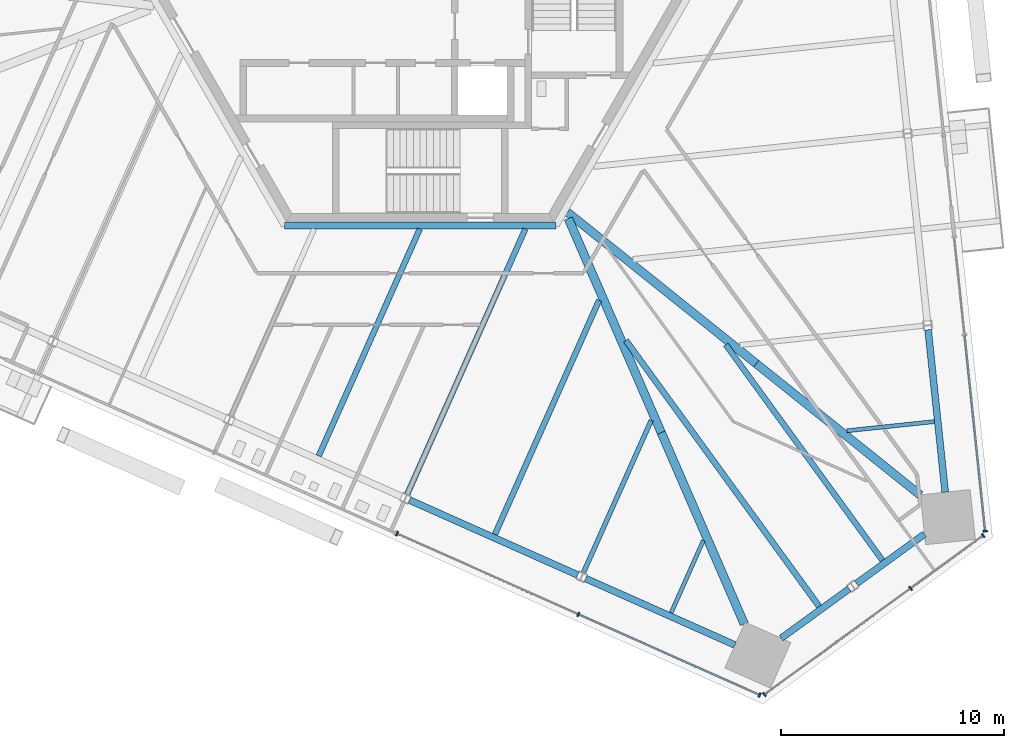
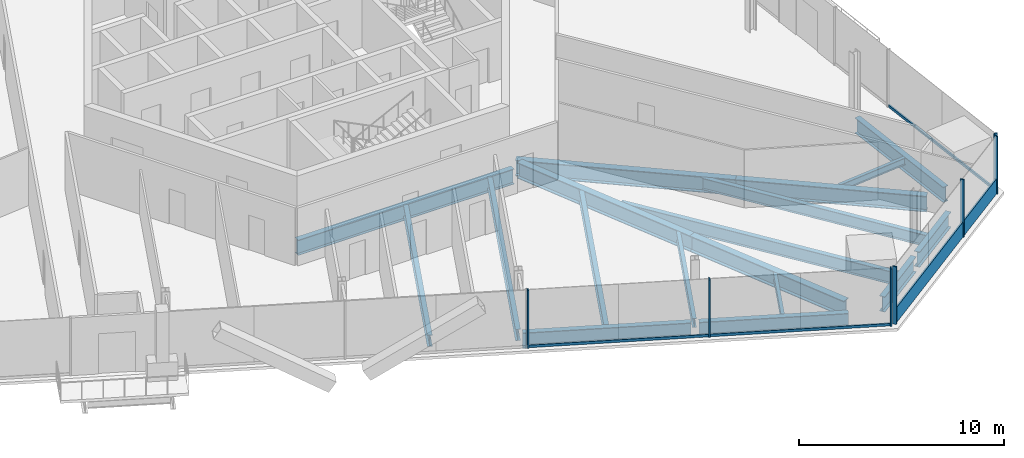
# One storey, part 5 of 19: 18 beams, 12 members, 3 elements without a shape of their own.
"""IFC4 building model written with IfcOpenShell, lengths in metres."""

from ifc_helpers import new_model, si_unit, direction, frame, origin, origin_2d, place, context, subcontext, project, spatial, rectangle, i_section, extrude, source, transform, mapped, material, material_profile, profile_set, type_object, element, aggregate, save


model = new_model("IFC4")

# Units and contexts
model_context = context("Model", 3, precision=1e-05, world=origin(), true_north=direction((0.0, 1.0)))
body_context = subcontext(model_context, "Body", "Model", "MODEL_VIEW")
ifc_project = project(units=[si_unit("LENGTHUNIT", "METRE"), si_unit("AREAUNIT", "SQUARE_METRE"), si_unit("VOLUMEUNIT", "CUBIC_METRE"), si_unit("PLANEANGLEUNIT", "RADIAN"), si_unit("MASSUNIT", "GRAM", prefix="KILO")], contexts=[model_context])

# Site, building, storey
site_placement = place(None, origin())
site = spatial("IfcSite", under=ifc_project, at=site_placement, CompositionType="ELEMENT")
building_placement = place(site_placement, origin())
building = spatial("IfcBuilding", under=site, at=building_placement, Name="Triune Harvest Tower", CompositionType="ELEMENT")
storey_placement = place(building_placement, frame((0.0, 0.0, 76.5)))
storey = spatial("IfcBuildingStorey", under=building, at=storey_placement, Name="L18", CompositionType="ELEMENT", Elevation=76.5)

# Beams
ifc_material_1 = material(Name="Steel ASTM A992 Gr 50", Category="steel")
ifc_material_profile_1 = material_profile(ifc_material_1, i_section(OverallWidth=0.3046875, OverallDepth=0.914306640625, WebThickness=0.0166015625, FlangeThickness=0.02587890625, at=origin_2d()), Name="W36x160")
ifc_profile_set_1 = profile_set([ifc_material_profile_1], Name="Steel ASTM A992 Gr 50")
beam_type_1 = type_object("IfcBeamType", Name="CG-1 Core ring girder W36x160", PredefinedType="BEAM", material=ifc_profile_set_1)
shared_shape_1 = source(origin(), body_context, "Body", "SweptSolid", [
    extrude(i_section(OverallWidth=0.3046875, OverallDepth=0.914306640625, WebThickness=0.0166015625, FlangeThickness=0.02587890625, at=origin_2d()), origin(), (0.0, 0.0, 1.0), 12.17578125),
])
beam_1_placement = place(storey_placement, frame((-6.087890625, -10.544677734375, -0.6171875), z_axis=(1.0, 0.0, 0.0), x_axis=(0.0, 1.0, 0.0)))
element("IfcBeam", 1, at=beam_1_placement, inside=storey, type_object=beam_type_1, Name="beam/L18/CG5", PredefinedType="BEAM", context=body_context, shape_type="MappedRepresentation", body=[
    mapped(shared_shape_1, transform((0.0, 0.0, 0.0), scale=1.0)),
])
ifc_material_2 = material(Name="Steel ASTM A992 Gr 50", Category="steel")
ifc_material_profile_2 = material_profile(ifc_material_2, i_section(OverallWidth=0.383544921875, OverallDepth=0.9423828125, WebThickness=0.022216796875, FlangeThickness=0.039794921875, at=origin_2d()), Name="W36x232")
ifc_profile_set_2 = profile_set([ifc_material_profile_2], Name="Steel ASTM A992 Gr 50")
beam_type_2 = type_object("IfcBeamType", Name="HG-1 Hip girder W36x232", PredefinedType="BEAM", material=ifc_profile_set_2)
shared_shape_2 = source(origin(), body_context, "Body", "SweptSolid", [
    extrude(i_section(OverallWidth=0.383544921875, OverallDepth=0.9423828125, WebThickness=0.022216796875, FlangeThickness=0.039794921875, at=origin_2d()), origin(), (0.0, 0.0, 1.0), 10.8701171875),
])
beam_2_placement = place(storey_placement, frame((15.0908203125, -16.745849609375, -0.631103515625), z_axis=(-0.780344837212, 0.625349450337, 0.0), x_axis=(-0.625349450337, -0.780344837212, 0.0)))
element("IfcBeam", 2, at=beam_2_placement, inside=storey, type_object=beam_type_2, Name="beam/L18/HG2", PredefinedType="BEAM", context=body_context, shape_type="MappedRepresentation", body=[
    mapped(shared_shape_2, transform((0.0, 0.0, 0.0), scale=1.0)),
])
shared_shape_3 = source(origin(), body_context, "Body", "SweptSolid", [
    extrude(i_section(OverallWidth=0.383544921875, OverallDepth=0.9423828125, WebThickness=0.022216796875, FlangeThickness=0.039794921875, at=origin_2d()), origin(), (0.0, 0.0, 1.0), 10.48291015625),
])
beam_3_placement = place(storey_placement, frame((10.824462890625, -19.84521484375, -0.631103515625), z_axis=(-0.39806686292, 0.917356404374, 0.0), x_axis=(-0.917356404374, -0.39806686292, 0.0)))
element("IfcBeam", 3, at=beam_3_placement, inside=storey, type_object=beam_type_2, Name="beam/L18/HG8", PredefinedType="BEAM", context=body_context, shape_type="MappedRepresentation", body=[
    mapped(shared_shape_3, transform((0.0, 0.0, 0.0), scale=1.0)),
])
ifc_material_3 = material(Name="Steel ASTM A992 Gr 50", Category="steel")
ifc_material_profile_3 = material_profile(ifc_material_3, i_section(OverallWidth=0.3046875, OverallDepth=0.914306640625, WebThickness=0.0166015625, FlangeThickness=0.02587890625, at=origin_2d()), Name="W36x160")
ifc_profile_set_3 = profile_set([ifc_material_profile_3], Name="Steel ASTM A992 Gr 50")
beam_type_3 = type_object("IfcBeamType", Name="SB-1 Spandrel beam W36x160", PredefinedType="SPANDREL", material=ifc_profile_set_3)
shared_shape_4 = source(origin(), body_context, "Body", "SweptSolid", [
    extrude(i_section(OverallWidth=0.3046875, OverallDepth=0.914306640625, WebThickness=0.0166015625, FlangeThickness=0.02587890625, at=origin_2d()), origin(), (0.0, 0.0, 1.0), 7.337890625),
])
for number, where, z_axis, x_axis, name in (
    (4, (23.57568359375, -22.520751953125, -0.6171875), (-0.104539300002, 0.994520756322, 0.0), (-0.994520756322, -0.104539300002, 0.0), "beam/L18/SB1"),
    (5, (7.4296875, -26.396484375, -0.6171875), (0.913546560881, -0.406734165153, 0.0), (0.406734165153, 0.913546560881, 0.0), "beam/L18/SB22"),
):
    element("IfcBeam", number, at=place(storey_placement, frame(where, z_axis=z_axis, x_axis=x_axis)), inside=storey, type_object=beam_type_3, Name=name, PredefinedType="SPANDREL", context=body_context, shape_type="MappedRepresentation", body=[
        mapped(shared_shape_4, transform((0.0, 0.0, 0.0), scale=1.0)),
    ])
shared_shape_5 = source(origin(), body_context, "Body", "SweptSolid", [
    extrude(i_section(OverallWidth=0.3046875, OverallDepth=0.914306640625, WebThickness=0.0166015625, FlangeThickness=0.02587890625, at=origin_2d()), origin(), (0.0, 0.0, 1.0), 8.263427734375),
])
beam_4_placement = place(storey_placement, frame((-0.483642578125, -22.873291015625, -0.6171875), z_axis=(0.913544537455, -0.406738709846, 0.0), x_axis=(0.406738709846, 0.913544537455, 0.0)))
element("IfcBeam", 6, at=beam_4_placement, inside=storey, type_object=beam_type_3, Name="beam/L18/SB21", PredefinedType="SPANDREL", context=body_context, shape_type="MappedRepresentation", body=[
    mapped(shared_shape_5, transform((0.0, 0.0, 0.0), scale=1.0)),
])
shared_shape_6 = source(origin(), body_context, "Body", "SweptSolid", [
    extrude(i_section(OverallWidth=0.3046875, OverallDepth=0.914306640625, WebThickness=0.0166015625, FlangeThickness=0.02587890625, at=origin_2d()), origin(), (0.0, 0.0, 1.0), 3.77490234375),
])
for number, where, z_axis, x_axis, name in (
    (7, (16.2119140625, -29.0751953125, -0.6171875), (0.809026850732, 0.587771685942, 0.0), (-0.587771685942, 0.809026850732, 0.0), "beam/L18/SB23"),
    (8, (19.58837890625, -26.6220703125, -0.6171875), (0.809026850732, 0.587771685942, 0.0), (-0.587771685942, 0.809026850732, 0.0), "beam/L18/SB24"),
):
    element("IfcBeam", number, at=place(storey_placement, frame(where, z_axis=z_axis, x_axis=x_axis)), inside=storey, type_object=beam_type_3, Name=name, PredefinedType="SPANDREL", context=body_context, shape_type="MappedRepresentation", body=[
        mapped(shared_shape_6, transform((0.0, 0.0, 0.0), scale=1.0)),
    ])
shared_shape_7 = source(origin(), body_context, "Body", "SweptSolid", [
    extrude(i_section(OverallWidth=0.383544921875, OverallDepth=0.9423828125, WebThickness=0.022216796875, FlangeThickness=0.039794921875, at=origin_2d()), origin(), (0.0, 0.0, 1.0), 9.44091796875),
])
beam_5_placement = place(storey_placement, frame((22.4580078125, -22.649658203125, -0.631103515625), z_axis=(-0.780348817967, 0.625344482903, 0.0), x_axis=(-0.625344482903, -0.780348817967, 0.0)))
element("IfcBeam", 9, at=beam_5_placement, inside=storey, type_object=beam_type_2, Name="beam/L18/HG1", PredefinedType="BEAM", context=body_context, shape_type="MappedRepresentation", body=[
    mapped(shared_shape_7, transform((0.0, 0.0, 0.0), scale=1.0)),
])
shared_shape_8 = source(origin(), body_context, "Body", "SweptSolid", [
    extrude(i_section(OverallWidth=0.383544921875, OverallDepth=0.9423828125, WebThickness=0.022216796875, FlangeThickness=0.039794921875, at=origin_2d()), origin(), (0.0, 0.0, 1.0), 9.366943359375),
])
beam_6_placement = place(storey_placement, frame((14.552978515625, -28.43798828125, -0.631103515625), z_axis=(-0.398055044024, 0.917361532836, 0.0), x_axis=(-0.917361532836, -0.398055044024, 0.0)))
element("IfcBeam", 10, at=beam_6_placement, inside=storey, type_object=beam_type_2, Name="beam/L18/HG7", PredefinedType="BEAM", context=body_context, shape_type="MappedRepresentation", body=[
    mapped(shared_shape_8, transform((0.0, 0.0, 0.0), scale=1.0)),
])
ifc_material_4 = material(Name="Steel ASTM A992 Gr 50", Category="steel")
ifc_material_profile_4 = material_profile(ifc_material_4, i_section(OverallWidth=0.180908203125, OverallDepth=0.41650390625, WebThickness=0.010986328125, FlangeThickness=0.01806640625, at=origin_2d()), Name="W16x57")
ifc_profile_set_4 = profile_set([ifc_material_profile_4], Name="Steel ASTM A992 Gr 50")
beam_type_4 = type_object("IfcBeamType", Name="JT-1 Floor joist W16x57", PredefinedType="JOIST", material=ifc_profile_set_4)
shared_shape_9 = source(origin(), body_context, "Body", "SweptSolid", [
    extrude(i_section(OverallWidth=0.180908203125, OverallDepth=0.41650390625, WebThickness=0.010986328125, FlangeThickness=0.01806640625, at=origin_2d()), origin(), (0.0, 0.0, 1.0), 3.95068359375),
])
beam_7_placement = place(storey_placement, frame((23.089111328125, -19.34814453125, -0.368408203125), z_axis=(-0.994524737495, -0.104501418698, 0.0), x_axis=(0.104501418698, -0.994524737495, 0.0)))
element("IfcBeam", 11, at=beam_7_placement, inside=storey, type_object=beam_type_4, Name="beam/L18/JT1", PredefinedType="JOIST", context=body_context, shape_type="MappedRepresentation", body=[
    mapped(shared_shape_9, transform((0.0, 0.0, 0.0), scale=1.0)),
])
ifc_material_5 = material(Name="Steel ASTM A992 Gr 50", Category="steel")
ifc_material_profile_5 = material_profile(ifc_material_5, i_section(OverallWidth=0.253662109375, OverallDepth=0.683349609375, WebThickness=0.012451171875, FlangeThickness=0.01904296875, at=origin_2d()), Name="W27x94")
ifc_profile_set_5 = profile_set([ifc_material_profile_5], Name="Steel ASTM A992 Gr 50")
beam_type_5 = type_object("IfcBeamType", Name="JT-4 Floor joist W27x94", PredefinedType="JOIST", material=ifc_profile_set_5)
shared_shape_10 = source(origin(), body_context, "Body", "SweptSolid", [
    extrude(i_section(OverallWidth=0.253662109375, OverallDepth=0.683349609375, WebThickness=0.012451171875, FlangeThickness=0.01904296875, at=origin_2d()), origin(), (0.0, 0.0, 1.0), 11.51123046875),
])
beam_8_placement = place(storey_placement, frame((3.352783203125, -24.414794921875, -0.501708984375), z_axis=(0.406740530162, 0.91354372699, 0.0), x_axis=(-0.91354372699, 0.406740530162, 0.0)))
element("IfcBeam", 12, at=beam_8_placement, inside=storey, type_object=beam_type_5, Name="beam/L18/JT35", PredefinedType="JOIST", context=body_context, shape_type="MappedRepresentation", body=[
    mapped(shared_shape_10, transform((0.0, 0.0, 0.0), scale=1.0)),
])
shared_shape_11 = source(origin(), body_context, "Body", "SweptSolid", [
    extrude(i_section(OverallWidth=0.180908203125, OverallDepth=0.41650390625, WebThickness=0.010986328125, FlangeThickness=0.01806640625, at=origin_2d()), origin(), (0.0, 0.0, 1.0), 3.562255859375),
])
beam_9_placement = place(storey_placement, frame((11.26611328125, -27.93798828125, -0.368408203125), z_axis=(0.406767922158, 0.913531530656, 0.0), x_axis=(-0.913531530656, 0.406767922158, 0.0)))
element("IfcBeam", 13, at=beam_9_placement, inside=storey, type_object=beam_type_4, Name="beam/L18/JT37", PredefinedType="JOIST", context=body_context, shape_type="MappedRepresentation", body=[
    mapped(shared_shape_11, transform((0.0, 0.0, 0.0), scale=1.0)),
])
ifc_material_6 = material(Name="Steel ASTM A992 Gr 50", Category="steel")
ifc_material_profile_6 = material_profile(ifc_material_6, i_section(OverallWidth=0.2666015625, OverallDepth=0.7568359375, WebThickness=0.013916015625, FlangeThickness=0.019287109375, at=origin_2d()), Name="W30x108")
ifc_profile_set_6 = profile_set([ifc_material_profile_6], Name="Steel ASTM A992 Gr 50")
beam_type_6 = type_object("IfcBeamType", Name="JT-5 Floor joist W30x108", PredefinedType="JOIST", material=ifc_profile_set_6)
shared_shape_12 = source(origin(), body_context, "Body", "SweptSolid", [
    extrude(i_section(OverallWidth=0.2666015625, OverallDepth=0.7568359375, WebThickness=0.013916015625, FlangeThickness=0.019287109375, at=origin_2d()), origin(), (0.0, 0.0, 1.0), 14.766357421875),
])
beam_10_placement = place(storey_placement, frame((17.915283203125, -27.649169921875, -0.53857421875), z_axis=(-0.587783315485, 0.809018401544, 0.0), x_axis=(-0.809018401544, -0.587783315485, 0.0)))
element("IfcBeam", 14, at=beam_10_placement, inside=storey, type_object=beam_type_6, Name="beam/L18/JT38", PredefinedType="JOIST", context=body_context, shape_type="MappedRepresentation", body=[
    mapped(shared_shape_12, transform((0.0, 0.0, 0.0), scale=1.0)),
])
ifc_material_7 = material(Name="Steel ASTM A992 Gr 50", Category="steel")
ifc_material_profile_7 = material_profile(ifc_material_7, i_section(OverallWidth=0.2099609375, OverallDepth=0.535888671875, WebThickness=0.010986328125, FlangeThickness=0.017333984375, at=origin_2d()), Name="W21x68")
ifc_profile_set_7 = profile_set([ifc_material_profile_7], Name="Steel ASTM A992 Gr 50")
beam_type_7 = type_object("IfcBeamType", Name="JT-2 Floor joist W21x68", PredefinedType="JOIST", material=ifc_profile_set_7)
shared_shape_13 = source(origin(), body_context, "Body", "SweptSolid", [
    extrude(i_section(OverallWidth=0.2099609375, OverallDepth=0.535888671875, WebThickness=0.010986328125, FlangeThickness=0.017333984375, at=origin_2d()), origin(), (0.0, 0.0, 1.0), 7.4921875),
])
beam_11_placement = place(storey_placement, frame((7.32763671875, -26.1357421875, -0.427978515625), z_axis=(0.406737018568, 0.913545290463, 0.0), x_axis=(-0.913545290463, 0.406737018568, 0.0)))
element("IfcBeam", 15, at=beam_11_placement, inside=storey, type_object=beam_type_7, Name="beam/L18/JT36", PredefinedType="JOIST", context=body_context, shape_type="MappedRepresentation", body=[
    mapped(shared_shape_13, transform((0.0, 0.0, 0.0), scale=1.0)),
])
shared_shape_14 = source(origin(), body_context, "Body", "SweptSolid", [
    extrude(i_section(OverallWidth=0.253662109375, OverallDepth=0.683349609375, WebThickness=0.012451171875, FlangeThickness=0.01904296875, at=origin_2d()), origin(), (0.0, 0.0, 1.0), 11.159423828125),
])
beam_12_placement = place(storey_placement, frame((-4.560546875, -20.8916015625, -0.501708984375), z_axis=(0.406747338499, 0.913540695659, 0.0), x_axis=(-0.913540695659, 0.406747338499, 0.0)))
element("IfcBeam", 16, at=beam_12_placement, inside=storey, type_object=beam_type_5, Name="beam/L18/JT33", PredefinedType="JOIST", context=body_context, shape_type="MappedRepresentation", body=[
    mapped(shared_shape_14, transform((0.0, 0.0, 0.0), scale=1.0)),
])
shared_shape_15 = source(origin(), body_context, "Body", "SweptSolid", [
    extrude(i_section(OverallWidth=0.253662109375, OverallDepth=0.683349609375, WebThickness=0.012451171875, FlangeThickness=0.01904296875, at=origin_2d()), origin(), (0.0, 0.0, 1.0), 13.043212890625),
])
beam_13_placement = place(storey_placement, frame((-0.585693359375, -22.612548828125, -0.501708984375), z_axis=(0.40673927971, 0.913544283733, 0.0), x_axis=(-0.913544283733, 0.40673927971, 0.0)))
element("IfcBeam", 17, at=beam_13_placement, inside=storey, type_object=beam_type_5, Name="beam/L18/JT34", PredefinedType="JOIST", context=body_context, shape_type="MappedRepresentation", body=[
    mapped(shared_shape_15, transform((0.0, 0.0, 0.0), scale=1.0)),
])
shared_shape_16 = source(origin(), body_context, "Body", "SweptSolid", [
    extrude(i_section(OverallWidth=0.253662109375, OverallDepth=0.683349609375, WebThickness=0.012451171875, FlangeThickness=0.01904296875, at=origin_2d()), origin(), (0.0, 0.0, 1.0), 11.97802734375),
])
beam_14_placement = place(storey_placement, frame((20.759521484375, -25.582763671875, -0.501708984375), z_axis=(-0.587786239195, 0.809016277347, 0.0), x_axis=(-0.809016277347, -0.587786239195, 0.0)))
element("IfcBeam", 18, at=beam_14_placement, inside=storey, type_object=beam_type_5, Name="beam/L18/JT39", PredefinedType="JOIST", context=body_context, shape_type="MappedRepresentation", body=[
    mapped(shared_shape_16, transform((0.0, 0.0, 0.0), scale=1.0)),
])

# Curtain wall, members
ifc_material_8 = material(Name="Aluminium bronze anodised", Category="aluminium")
curtain_wall_type_1 = type_object("IfcCurtainWallType", Name="CW-1 Tower stick curtain wall", PredefinedType="NOTDEFINED", material=ifc_material_8)
curtain_wall_1_placement = place(storey_placement, origin())
curtain_wall_1 = element("IfcCurtainWall", 19, at=curtain_wall_1_placement, inside=storey, type_object=curtain_wall_type_1, Name="CW-1 B2-F6 L18 run 1")
ifc_material_9 = material(Name="Aluminium bronze anodised", Category="aluminium")
ifc_material_profile_8 = material_profile(ifc_material_9, rectangle(XDim=0.199951171875, YDim=0.074951171875, at=origin_2d()), Name="MU-1 mullion 75 x 200")
ifc_profile_set_8 = profile_set([ifc_material_profile_8], Name="Aluminium bronze anodised")
member_type_1 = type_object("IfcMemberType", Name="MU-1 mullion 75 x 200", PredefinedType="MULLION", material=ifc_profile_set_8)
shared_shape_17 = source(origin(), body_context, "Body", "SweptSolid", [
    extrude(rectangle(XDim=0.199951171875, YDim=0.074951171875, at=origin_2d()), origin(), (0.0, 0.0, 1.0), 3.43994140625),
])
member_1_placement = place(storey_placement, frame((15.457763671875, -31.607177734375, 0.0), z_axis=(0.0, 0.0, 1.0), x_axis=(-0.58779042564, 0.809013235692, 0.0)))
member_1 = element("IfcMember", 20, at=member_1_placement, type_object=member_type_1, Name="CW-1 mullion B2-F6 1.1", PredefinedType="MULLION", context=body_context, shape_type="MappedRepresentation", body=[
    mapped(shared_shape_17, transform((0.0, 0.0, 0.0), scale=1.0)),
])
member_2_placement = place(storey_placement, frame((22.018310546875, -26.8408203125, 0.0), z_axis=(0.0, 0.0, 1.0), x_axis=(-0.58779042564, 0.809013235692, 0.0)))
member_2 = element("IfcMember", 21, at=member_2_placement, type_object=member_type_1, Name="CW-1 mullion B2-F6 1.3", PredefinedType="MULLION", context=body_context, shape_type="MappedRepresentation", body=[
    mapped(shared_shape_17, transform((0.0, 0.0, 0.0), scale=1.0)),
])
member_3_placement = place(storey_placement, frame((25.283447265625, -24.468505859375, 0.0), z_axis=(0.0, 0.0, 1.0), x_axis=(-0.58779042564, 0.809013235692, 0.0)))
member_3 = element("IfcMember", 22, at=member_3_placement, type_object=member_type_1, Name="CW-1 mullion B2-F6 1.4", PredefinedType="MULLION", context=body_context, shape_type="MappedRepresentation", body=[
    mapped(shared_shape_17, transform((0.0, 0.0, 0.0), scale=1.0)),
])
ifc_material_10 = material(Name="Aluminium bronze anodised", Category="aluminium")
ifc_material_profile_9 = material_profile(ifc_material_10, rectangle(XDim=0.090087890625, YDim=0.89990234375, at=origin_2d()), Name="TR-1 transom 90 x 900")
ifc_profile_set_9 = profile_set([ifc_material_profile_9], Name="Aluminium bronze anodised")
member_type_2 = type_object("IfcMemberType", Name="TR-1 transom 90 x 900", PredefinedType="USERDEFINED", material=ifc_profile_set_9)
shared_shape_18 = source(origin(), body_context, "Body", "SweptSolid", [
    extrude(rectangle(XDim=0.090087890625, YDim=0.89990234375, at=origin_2d()), origin(), (0.0, 0.0, 1.0), 8.0341796875),
])
member_4_placement = place(storey_placement, frame((15.48828125, -31.585205078125, 0.449951171875), z_axis=(0.809013262196, 0.587790389162, 0.0), x_axis=(-0.587790389162, 0.809013262196, 0.0)))
member_4 = element("IfcMember", 23, at=member_4_placement, type_object=member_type_2, Name="CW-1 transom B2-F6 1.1", ObjectType="TRANSOM", PredefinedType="USERDEFINED", context=body_context, shape_type="MappedRepresentation", body=[
    mapped(shared_shape_18, transform((0.0, 0.0, 0.0), scale=1.0)),
])
shared_shape_19 = source(origin(), body_context, "Body", "SweptSolid", [
    extrude(rectangle(XDim=0.090087890625, YDim=0.89990234375, at=origin_2d()), origin(), (0.0, 0.0, 1.0), 3.9609375),
])
member_5_placement = place(storey_placement, frame((22.048583984375, -26.818603515625, 0.449951171875), z_axis=(0.809034498415, 0.587761159294, 0.0), x_axis=(-0.587761159294, 0.809034498415, 0.0)))
member_5 = element("IfcMember", 24, at=member_5_placement, type_object=member_type_2, Name="CW-1 transom B2-F6 1.2", ObjectType="TRANSOM", PredefinedType="USERDEFINED", context=body_context, shape_type="MappedRepresentation", body=[
    mapped(shared_shape_19, transform((0.0, 0.0, 0.0), scale=1.0)),
])
aggregate(curtain_wall_1, [member_1, member_2, member_3, member_4, member_5])

# Curtain wall, member
ifc_material_11 = material(Name="Aluminium bronze anodised", Category="aluminium")
curtain_wall_type_2 = type_object("IfcCurtainWallType", Name="CW-6 Balcony window wall", PredefinedType="NOTDEFINED", material=ifc_material_11)
curtain_wall_2_placement = place(storey_placement, origin())
curtain_wall_2 = element("IfcCurtainWall", 25, at=curtain_wall_2_placement, inside=storey, type_object=curtain_wall_type_2, Name="CW-6 B2-F1 L18 run 1")
ifc_material_12 = material(Name="Aluminium bronze anodised", Category="aluminium")
ifc_material_profile_10 = material_profile(ifc_material_12, rectangle(XDim=0.199951171875, YDim=0.074951171875, at=origin_2d()), Name="MU-6 mullion 75 x 200")
ifc_profile_set_10 = profile_set([ifc_material_profile_10], Name="Aluminium bronze anodised")
member_type_3 = type_object("IfcMemberType", Name="MU-6 mullion 75 x 200", PredefinedType="MULLION", material=ifc_profile_set_10)
shared_shape_20 = source(origin(), body_context, "Body", "SweptSolid", [
    extrude(rectangle(XDim=0.199951171875, YDim=0.074951171875, at=origin_2d()), origin(), (0.0, 0.0, 1.0), 3.43994140625),
])
member_6_placement = place(storey_placement, frame((25.373291015625, -24.2666015625, 0.0), z_axis=(0.0, 0.0, 1.0), x_axis=(-0.994521992769, -0.104527536558, 0.0)))
member_6 = element("IfcMember", 26, at=member_6_placement, type_object=member_type_3, Name="CW-6 mullion B2-F1 1.1", PredefinedType="MULLION", context=body_context, shape_type="MappedRepresentation", body=[
    mapped(shared_shape_20, transform((0.0, 0.0, 0.0), scale=1.0)),
])

# Curtain wall, members
curtain_wall_3_placement = place(storey_placement, origin())
curtain_wall_3 = element("IfcCurtainWall", 27, at=curtain_wall_3_placement, inside=storey, type_object=curtain_wall_type_2, Name="CW-6 B2-F5 L18 run 1002")
member_7_placement = place(storey_placement, frame((-1.043212890625, -24.38134765625, 0.0), z_axis=(0.0, 0.0, 1.0), x_axis=(0.406737255643, 0.91354518491, 0.0)))
member_7 = element("IfcMember", 28, at=member_7_placement, type_object=member_type_3, Name="CW-6 mullion B2-F5 1002.1", PredefinedType="MULLION", context=body_context, shape_type="MappedRepresentation", body=[
    mapped(shared_shape_20, transform((0.0, 0.0, 0.0), scale=1.0)),
])
member_8_placement = place(storey_placement, frame((7.097412109375, -28.005859375, 0.0), z_axis=(0.0, 0.0, 1.0), x_axis=(0.406737255643, 0.91354518491, 0.0)))
member_8 = element("IfcMember", 29, at=member_8_placement, type_object=member_type_3, Name="CW-6 mullion B2-F5 1002.3", PredefinedType="MULLION", context=body_context, shape_type="MappedRepresentation", body=[
    mapped(shared_shape_20, transform((0.0, 0.0, 0.0), scale=1.0)),
])
member_9_placement = place(storey_placement, frame((15.23828125, -31.63037109375, 0.0), z_axis=(0.0, 0.0, 1.0), x_axis=(0.406737255643, 0.91354518491, 0.0)))
member_9 = element("IfcMember", 30, at=member_9_placement, type_object=member_type_3, Name="CW-6 mullion B2-F5 1002.5", PredefinedType="MULLION", context=body_context, shape_type="MappedRepresentation", body=[
    mapped(shared_shape_20, transform((0.0, 0.0, 0.0), scale=1.0)),
])

# Member
ifc_material_13 = material(Name="Aluminium bronze anodised", Category="aluminium")
ifc_material_profile_11 = material_profile(ifc_material_13, rectangle(XDim=0.090087890625, YDim=0.14990234375, at=origin_2d()), Name="TR-6 transom 90 x 150")
ifc_profile_set_11 = profile_set([ifc_material_profile_11], Name="Aluminium bronze anodised")
member_type_4 = type_object("IfcMemberType", Name="TR-6 transom 90 x 150", PredefinedType="USERDEFINED", material=ifc_profile_set_11)
shared_shape_21 = source(origin(), body_context, "Body", "SweptSolid", [
    extrude(rectangle(XDim=0.090087890625, YDim=0.14990234375, at=origin_2d()), origin(), (0.0, 0.0, 1.0), 8.798583984375),
])
member_10_placement = place(storey_placement, frame((25.369384765625, -24.2294921875, 0.074951171875), z_axis=(-0.104524456399, 0.994522316499, 0.0), x_axis=(-0.994522316499, -0.104524456399, 0.0)))
member_10 = element("IfcMember", 31, at=member_10_placement, type_object=member_type_4, Name="CW-6 transom B2-F1 1.1", ObjectType="TRANSOM", PredefinedType="USERDEFINED", context=body_context, shape_type="MappedRepresentation", body=[
    mapped(shared_shape_21, transform((0.0, 0.0, 0.0), scale=1.0)),
])

aggregate(curtain_wall_2, [member_6, member_10])

shared_shape_22 = source(origin(), body_context, "Body", "SweptSolid", [
    extrude(rectangle(XDim=0.090087890625, YDim=0.14990234375, at=origin_2d()), origin(), (0.0, 0.0, 1.0), 8.836181640625),
])
member_11_placement = place(storey_placement, frame((-1.009033203125, -24.396484375, 0.074951171875), z_axis=(0.913545881142, -0.406735691879, 0.0), x_axis=(0.406735691879, 0.913545881142, 0.0)))
member_11 = element("IfcMember", 32, at=member_11_placement, type_object=member_type_4, Name="CW-6 transom B2-F5 1002.1", ObjectType="TRANSOM", PredefinedType="USERDEFINED", context=body_context, shape_type="MappedRepresentation", body=[
    mapped(shared_shape_22, transform((0.0, 0.0, 0.0), scale=1.0)),
])

shared_shape_23 = source(origin(), body_context, "Body", "SweptSolid", [
    extrude(rectangle(XDim=0.090087890625, YDim=0.14990234375, at=origin_2d()), origin(), (0.0, 0.0, 1.0), 8.8359375),
])
member_12_placement = place(storey_placement, frame((7.1318359375, -28.02099609375, 0.074951171875), z_axis=(0.913541310092, -0.406745958499, 0.0), x_axis=(0.406745958499, 0.913541310092, 0.0)))
member_12 = element("IfcMember", 33, at=member_12_placement, type_object=member_type_4, Name="CW-6 transom B2-F5 1002.2", ObjectType="TRANSOM", PredefinedType="USERDEFINED", context=body_context, shape_type="MappedRepresentation", body=[
    mapped(shared_shape_23, transform((0.0, 0.0, 0.0), scale=1.0)),
])

aggregate(curtain_wall_3, [member_7, member_8, member_9, member_11, member_12])

save(model, "model.ifc")
